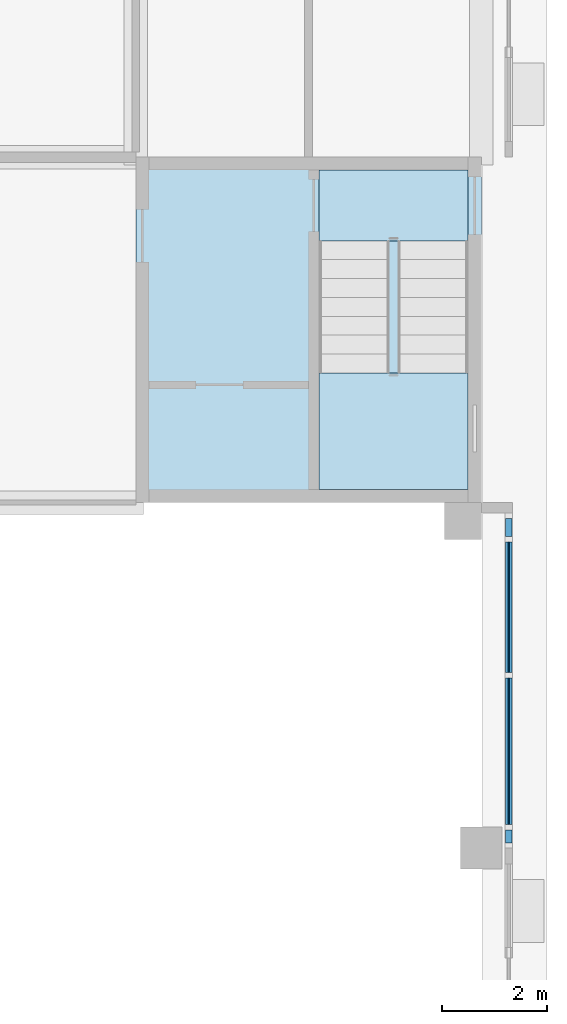
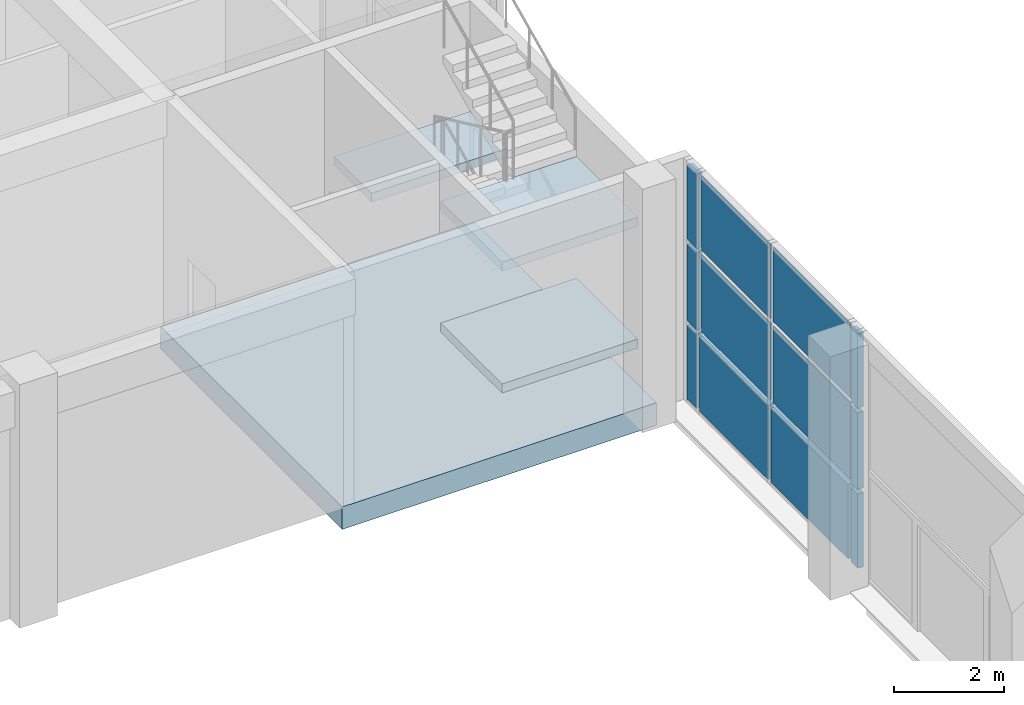
# One storey, part 23 of 85: 12 plates, 4 slabs, 2 elements without a shape of their own.
"""IFC4 building model written with IfcOpenShell, lengths in metres."""

from ifc_helpers import new_model, si_unit, direction, frame, origin, origin_2d, place, context, subcontext, project, spatial, polyline, rectangle, outline, extrude, material, layer, layer_set, type_object, element, aggregate, save


model = new_model("IFC4")

# Units and contexts
model_context = context("Model", 3, precision=1e-05, world=origin(), true_north=direction((0.0, 1.0)))
body_context = subcontext(model_context, "Body", "Model", "MODEL_VIEW")
ifc_project = project(units=[si_unit("LENGTHUNIT", "METRE"), si_unit("AREAUNIT", "SQUARE_METRE"), si_unit("VOLUMEUNIT", "CUBIC_METRE"), si_unit("PLANEANGLEUNIT", "RADIAN"), si_unit("MASSUNIT", "GRAM", prefix="KILO")], contexts=[model_context])

# Site, building, storey
site_placement = place(None, origin())
site = spatial("IfcSite", under=ifc_project, at=site_placement, CompositionType="ELEMENT")
building_placement = place(site_placement, origin())
building = spatial("IfcBuilding", under=site, at=building_placement, Name="Lantern Court Research Institute", CompositionType="ELEMENT")
storey_placement = place(building_placement, origin())
storey = spatial("IfcBuildingStorey", under=building, at=storey_placement, Name="L00", CompositionType="ELEMENT", Elevation=0.0)

# Curtain wall, plates
ifc_material_1 = material(Name="Aluminium alloy 6063-T6", Category="aluminium")
curtain_wall_type = type_object("IfcCurtainWallType", Name="Curtain wall 6400 x 5400 x 150 aluminium frame", PredefinedType="NOTDEFINED", material=ifc_material_1)
curtain_wall_placement = place(storey_placement, origin())
curtain_wall = element("IfcCurtainWall", 1, at=curtain_wall_placement, inside=storey, type_object=curtain_wall_type, Name="Curtain wall CW002", PredefinedType="NOTDEFINED")
ifc_material_2 = material(Name="Fire-resisting insulated aluminium spandrel panel", Category="aluminium")
ifc_layer_1 = layer(ifc_material_2, 0.1201171875)
ifc_layer_set_1 = layer_set([ifc_layer_1], Name="Fire-resisting insulated aluminium spandrel panel")
plate_type_1 = type_object("IfcPlateType", Name="Fire-resisting spandrel panel 120 mm", PredefinedType="CURTAIN_PANEL", material=ifc_layer_set_1)
plate_1_placement = place(storey_placement, frame((79.72509765625, 43.125, 0.10009765625), z_axis=(0.0, 0.0, 1.0), x_axis=(0.0, -1.0, 0.0)))
plate_1 = element("IfcPlate", 2, at=plate_1_placement, type_object=plate_type_1, Name="CW002 spandrel panel 1.1", PredefinedType="CURTAIN_PANEL", context=body_context, shape_type="SweptSolid", body=[
    extrude(rectangle(XDim=0.25, YDim=0.1201171875, at=origin_2d()), origin(), (0.0, 0.0, 1.0), 1.64990234375),
])
plate_2_placement = place(storey_placement, frame((79.72509765625, 43.125, 1.85009765625), z_axis=(0.0, 0.0, 1.0), x_axis=(0.0, -1.0, 0.0)))
plate_2 = element("IfcPlate", 3, at=plate_2_placement, type_object=plate_type_1, Name="CW002 spandrel panel 1.2", PredefinedType="CURTAIN_PANEL", context=body_context, shape_type="SweptSolid", body=[
    extrude(rectangle(XDim=0.25, YDim=0.1201171875, at=origin_2d()), origin(), (0.0, 0.0, 1.0), 1.699951171875),
])
plate_3_placement = place(storey_placement, frame((79.72509765625, 43.125, 3.650146484375), z_axis=(0.0, 0.0, 1.0), x_axis=(0.0, -1.0, 0.0)))
plate_3 = element("IfcPlate", 4, at=plate_3_placement, type_object=plate_type_1, Name="CW002 spandrel panel 1.3", PredefinedType="CURTAIN_PANEL", context=body_context, shape_type="SweptSolid", body=[
    extrude(rectangle(XDim=0.25, YDim=0.1201171875, at=origin_2d()), origin(), (0.0, 0.0, 1.0), 1.64990234375),
])
plate_4_placement = place(storey_placement, frame((79.72509765625, 44.75, 0.10009765625), z_axis=(0.0, 0.0, 1.0), x_axis=(0.0, -1.0, 0.0)))
plate_4 = element("IfcPlate", 5, at=plate_4_placement, type_object=plate_type_1, Name="CW002 spandrel panel 2.1", PredefinedType="CURTAIN_PANEL", context=body_context, shape_type="SweptSolid", body=[
    extrude(rectangle(XDim=2.800048828125, YDim=0.1201171875, at=origin_2d()), origin(), (0.0, 0.0, 1.0), 1.64990234375),
])
plate_5_placement = place(storey_placement, frame((79.72509765625, 47.5, 0.10009765625), z_axis=(0.0, 0.0, 1.0), x_axis=(0.0, -1.0, 0.0)))
plate_5 = element("IfcPlate", 6, at=plate_5_placement, type_object=plate_type_1, Name="CW002 spandrel panel 3.1", PredefinedType="CURTAIN_PANEL", context=body_context, shape_type="SweptSolid", body=[
    extrude(rectangle(XDim=2.5, YDim=0.1201171875, at=origin_2d()), origin(), (0.0, 0.0, 1.0), 1.64990234375),
])
plate_6_placement = place(storey_placement, frame((79.72509765625, 49.02490234375, 0.10009765625), z_axis=(0.0, 0.0, 1.0), x_axis=(0.0, -1.0, 0.0)))
plate_6 = element("IfcPlate", 7, at=plate_6_placement, type_object=plate_type_1, Name="CW002 spandrel panel 4.1", PredefinedType="CURTAIN_PANEL", context=body_context, shape_type="SweptSolid", body=[
    extrude(rectangle(XDim=0.35009765625, YDim=0.1201171875, at=origin_2d()), origin(), (0.0, 0.0, 1.0), 1.64990234375),
])
plate_7_placement = place(storey_placement, frame((79.72509765625, 49.02490234375, 1.85009765625), z_axis=(0.0, 0.0, 1.0), x_axis=(0.0, -1.0, 0.0)))
plate_7 = element("IfcPlate", 8, at=plate_7_placement, type_object=plate_type_1, Name="CW002 spandrel panel 4.2", PredefinedType="CURTAIN_PANEL", context=body_context, shape_type="SweptSolid", body=[
    extrude(rectangle(XDim=0.35009765625, YDim=0.1201171875, at=origin_2d()), origin(), (0.0, 0.0, 1.0), 1.699951171875),
])
plate_8_placement = place(storey_placement, frame((79.72509765625, 49.02490234375, 3.650146484375), z_axis=(0.0, 0.0, 1.0), x_axis=(0.0, -1.0, 0.0)))
plate_8 = element("IfcPlate", 9, at=plate_8_placement, type_object=plate_type_1, Name="CW002 spandrel panel 4.3", PredefinedType="CURTAIN_PANEL", context=body_context, shape_type="SweptSolid", body=[
    extrude(rectangle(XDim=0.35009765625, YDim=0.1201171875, at=origin_2d()), origin(), (0.0, 0.0, 1.0), 1.64990234375),
])
ifc_material_3 = material(Name="Laminated low-emissivity glass", Category="glass")
ifc_layer_2 = layer(ifc_material_3, 0.028076171875)
ifc_layer_set_2 = layer_set([ifc_layer_2], Name="Laminated low-emissivity glass")
plate_type_2 = type_object("IfcPlateType", Name="Laminated low-emissivity unit 28 mm", PredefinedType="CURTAIN_PANEL", material=ifc_layer_set_2)
plate_9_placement = place(storey_placement, frame((79.72509765625, 44.75, 1.85009765625), z_axis=(0.0, 0.0, 1.0), x_axis=(0.0, -1.0, 0.0)))
plate_9 = element("IfcPlate", 10, at=plate_9_placement, type_object=plate_type_2, Name="CW002 glazed panel 2.2", PredefinedType="CURTAIN_PANEL", context=body_context, shape_type="SweptSolid", body=[
    extrude(rectangle(XDim=2.800048828125, YDim=0.028076171875, at=origin_2d()), origin(), (0.0, 0.0, 1.0), 1.699951171875),
])
plate_10_placement = place(storey_placement, frame((79.72509765625, 44.75, 3.650146484375), z_axis=(0.0, 0.0, 1.0), x_axis=(0.0, -1.0, 0.0)))
plate_10 = element("IfcPlate", 11, at=plate_10_placement, type_object=plate_type_2, Name="CW002 glazed panel 2.3", PredefinedType="CURTAIN_PANEL", context=body_context, shape_type="SweptSolid", body=[
    extrude(rectangle(XDim=2.800048828125, YDim=0.028076171875, at=origin_2d()), origin(), (0.0, 0.0, 1.0), 1.64990234375),
])
plate_11_placement = place(storey_placement, frame((79.72509765625, 47.5, 1.85009765625), z_axis=(0.0, 0.0, 1.0), x_axis=(0.0, -1.0, 0.0)))
plate_11 = element("IfcPlate", 12, at=plate_11_placement, type_object=plate_type_2, Name="CW002 glazed panel 3.2", PredefinedType="CURTAIN_PANEL", context=body_context, shape_type="SweptSolid", body=[
    extrude(rectangle(XDim=2.5, YDim=0.028076171875, at=origin_2d()), origin(), (0.0, 0.0, 1.0), 1.699951171875),
])
plate_12_placement = place(storey_placement, frame((79.72509765625, 47.5, 3.650146484375), z_axis=(0.0, 0.0, 1.0), x_axis=(0.0, -1.0, 0.0)))
plate_12 = element("IfcPlate", 13, at=plate_12_placement, type_object=plate_type_2, Name="CW002 glazed panel 3.3", PredefinedType="CURTAIN_PANEL", context=body_context, shape_type="SweptSolid", body=[
    extrude(rectangle(XDim=2.5, YDim=0.028076171875, at=origin_2d()), origin(), (0.0, 0.0, 1.0), 1.64990234375),
])
aggregate(curtain_wall, [plate_1, plate_2, plate_3, plate_4, plate_9, plate_10, plate_5, plate_11, plate_12, plate_6, plate_7, plate_8])

# Slab
ifc_material_4 = material(Name="Concrete C35/45", Category="concrete")
ifc_layer_3 = layer(ifc_material_4, 0.5)
ifc_layer_set_3 = layer_set([ifc_layer_3], Name="Concrete C35/45")
slab_type_1 = type_object("IfcSlabType", Name="RC core floor slab 500", PredefinedType="FLOOR", material=ifc_layer_set_3)
slab_1_placement = place(storey_placement, frame((0.0, 0.0, -0.5)))
element("IfcSlab", 14, at=slab_1_placement, inside=storey, type_object=slab_type_1, Name="Floor of core HC-B", PredefinedType="FLOOR", context=body_context, shape_type="SweptSolid", body=[
    extrude(outline(polyline([(72.60009765625, 49.5), (79.199951171875, 49.5), (79.199951171875, 56.10009765625), (72.60009765625, 56.10009765625), (72.60009765625, 49.5)])), origin(), (0.0, 0.0, 1.0), 0.5),
])

# Stair, slabs
ifc_material_5 = material(Name="Concrete C40/50", Category="concrete")
stair_type = type_object("IfcStairType", Name="RC half-turn stair 1350 wide, 5400 rise, 6100 shaft", PredefinedType="HALF_TURN_STAIR", material=ifc_material_5)
stair_placement = place(storey_placement, origin())
stair = element("IfcStair", 15, at=stair_placement, inside=storey, type_object=stair_type, Name="L00 stair ST-H2", PredefinedType="HALF_TURN_STAIR")
ifc_material_6 = material(Name="Concrete C40/50", Category="concrete")
ifc_layer_4 = layer(ifc_material_6, 0.199951171875)
ifc_layer_set_4 = layer_set([ifc_layer_4], Name="Concrete C40/50")
slab_type_2 = type_object("IfcSlabType", Name="RC stair landing 200", PredefinedType="LANDING", material=ifc_layer_set_4)
slab_2_placement = place(storey_placement, frame((0.0, 0.0, 1.14990234375)))
slab_2 = element("IfcSlab", 16, at=slab_2_placement, type_object=slab_type_2, Name="ST-H2 landing 1", PredefinedType="LANDING", context=body_context, shape_type="SweptSolid", body=[
    extrude(outline(polyline([(76.10009765625, 51.97998046875), (76.10009765625, 49.75), (78.949951171875, 49.75), (78.949951171875, 51.97998046875), (76.10009765625, 51.97998046875)])), origin(), (0.0, 0.0, 1.0), 0.2001953125),
])
slab_3_placement = place(storey_placement, frame((0.0, 0.0, 2.5)))
slab_3 = element("IfcSlab", 17, at=slab_3_placement, type_object=slab_type_2, Name="ST-H2 landing 2", PredefinedType="LANDING", context=body_context, shape_type="SweptSolid", body=[
    extrude(outline(polyline([(76.10009765625, 55.85009765625), (76.10009765625, 54.5), (78.949951171875, 54.5), (78.949951171875, 55.85009765625), (76.10009765625, 55.85009765625)])), origin(), (0.0, 0.0, 1.0), 0.199951171875),
])
slab_4_placement = place(storey_placement, frame((0.0, 0.0, 3.85009765625)))
slab_4 = element("IfcSlab", 18, at=slab_4_placement, type_object=slab_type_2, Name="ST-H2 landing 3", PredefinedType="LANDING", context=body_context, shape_type="SweptSolid", body=[
    extrude(outline(polyline([(76.10009765625, 51.97998046875), (76.10009765625, 49.75), (78.949951171875, 49.75), (78.949951171875, 51.97998046875), (76.10009765625, 51.97998046875)])), origin(), (0.0, 0.0, 1.0), 0.199951171875),
])
aggregate(stair, [slab_2, slab_3, slab_4])

save(model, "model.ifc")
